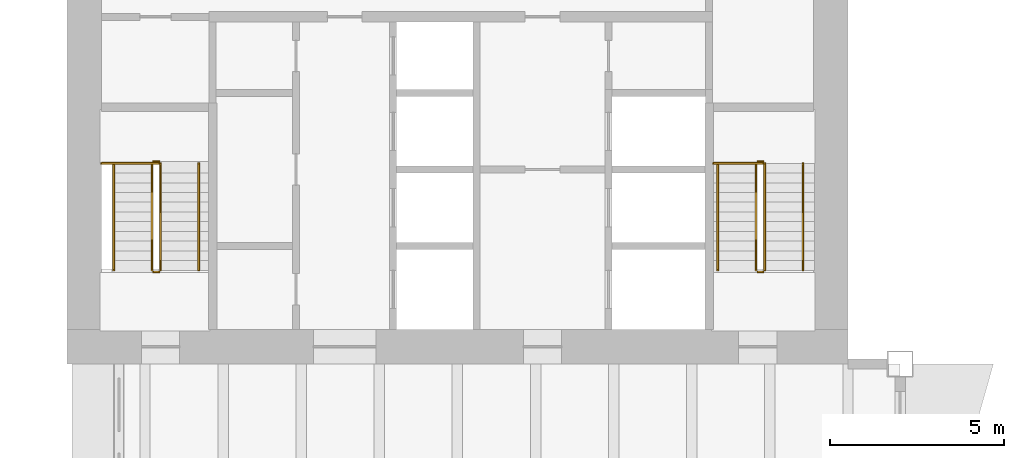
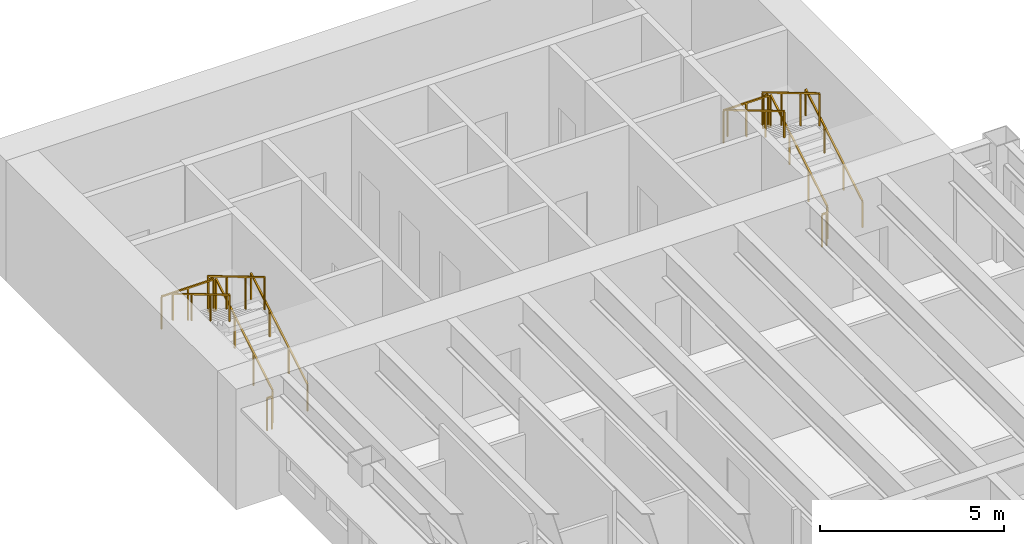
# One storey, part 17 of 17: 14 railings.
"""IFC4 building model written with IfcOpenShell, lengths in metres."""

from ifc_helpers import new_model, si_unit, direction, frame, origin, origin_2d, place, context, subcontext, project, spatial, rectangle, extrude, material, type_object, element, save


model = new_model("IFC4")

# Units and contexts
model_context = context("Model", 3, precision=1e-05, world=origin(), true_north=direction((0.0, 1.0)))
body_context = subcontext(model_context, "Body", "Model", "MODEL_VIEW")
ifc_project = project(units=[si_unit("LENGTHUNIT", "METRE"), si_unit("AREAUNIT", "SQUARE_METRE"), si_unit("VOLUMEUNIT", "CUBIC_METRE"), si_unit("PLANEANGLEUNIT", "RADIAN"), si_unit("MASSUNIT", "GRAM", prefix="KILO")], contexts=[model_context])

# Site, building, storey
site_placement = place(None, origin())
site = spatial("IfcSite", under=ifc_project, at=site_placement, CompositionType="ELEMENT")
building_placement = place(site_placement, origin())
building = spatial("IfcBuilding", under=site, at=building_placement, Name="Sennacour Bend Tower", CompositionType="ELEMENT")
storey_placement = place(building_placement, frame((0.0, 0.0, 215.0)))
storey = spatial("IfcBuildingStorey", under=building, at=storey_placement, Name="L49", CompositionType="ELEMENT", Elevation=215.0)

# Railings
ifc_material = material(Name="Stainless steel", Category="steel")
railing_type_1 = type_object("IfcRailingType", Name="RL-GUARD-1100", PredefinedType="GUARDRAIL", material=ifc_material)
railing_1_placement = place(storey_placement, frame((2.699951171875, 38.699951171875, 0.166748046875)))
element("IfcRailing", 1, at=railing_1_placement, inside=storey, type_object=railing_type_1, Name="L49 SB1 stair guard 1", PredefinedType="GUARDRAIL", context=body_context, shape_type="SweptSolid", body=[
    extrude(rectangle(XDim=0.048095703125, YDim=0.048095703125, at=origin_2d()), frame((0.0, 0.0, 1.076171875), z_axis=(0.0, 0.859308565015, 0.511457515432), x_axis=(-1.0, 0.0, 0.0)), (0.0, 0.0, 1.0), 3.58447265625),
    extrude(rectangle(XDim=0.0419921875, YDim=0.0419921875, at=origin_2d()), origin(), (0.0, 0.0, 1.0), 1.052001953125),
    extrude(rectangle(XDim=0.0419921875, YDim=0.0419921875, at=origin_2d()), frame((0.0, 1.026611328125, 0.611083984375)), (0.0, 0.0, 1.0), 1.052001953125),
    extrude(rectangle(XDim=0.0419921875, YDim=0.0419921875, at=origin_2d()), frame((0.0, 2.053466796875, 1.22216796875)), (0.0, 0.0, 1.0), 1.052001953125),
    extrude(rectangle(XDim=0.0419921875, YDim=0.0419921875, at=origin_2d()), frame((0.0, 3.080078125, 1.833251953125)), (0.0, 0.0, 1.0), 1.052001953125),
])
railing_2_placement = place(storey_placement, frame((2.64990234375, 41.830078125, 2.0)))
element("IfcRailing", 2, at=railing_2_placement, inside=storey, type_object=railing_type_1, Name="L49 SB1 stair guard 2", PredefinedType="GUARDRAIL", context=body_context, shape_type="SweptSolid", body=[
    extrude(rectangle(XDim=0.048095703125, YDim=0.048095703125, at=origin_2d()), frame((0.0, 0.0, 1.076171875), z_axis=(-1.0, 0.0, 0.0), x_axis=(0.0, -1.0, 0.0)), (0.0, 0.0, 1.0), 0.14990234375),
    extrude(rectangle(XDim=0.0419921875, YDim=0.0419921875, at=origin_2d()), origin(), (0.0, 0.0, 1.0), 1.052001953125),
    extrude(rectangle(XDim=0.0419921875, YDim=0.0419921875, at=origin_2d()), frame((-0.14990234375, 0.0, 0.0)), (0.0, 0.0, 1.0), 1.052001953125),
])
railing_3_placement = place(storey_placement, frame((2.449951171875, 41.780029296875, 2.166748046875)))
element("IfcRailing", 3, at=railing_3_placement, inside=storey, type_object=railing_type_1, Name="L49 SB1 stair guard 4", PredefinedType="GUARDRAIL", context=body_context, shape_type="SweptSolid", body=[
    extrude(rectangle(XDim=0.048095703125, YDim=0.048095703125, at=origin_2d()), frame((0.0, 0.0, 1.076171875), z_axis=(0.0, -0.859308565015, 0.511457515432), x_axis=(1.0, 0.0, 0.0)), (0.0, 0.0, 1.0), 3.58447265625),
    extrude(rectangle(XDim=0.0419921875, YDim=0.0419921875, at=origin_2d()), origin(), (0.0, 0.0, 1.0), 1.052001953125),
    extrude(rectangle(XDim=0.0419921875, YDim=0.0419921875, at=origin_2d()), frame((0.0, -1.026611328125, 0.611083984375)), (0.0, 0.0, 1.0), 1.052001953125),
    extrude(rectangle(XDim=0.0419921875, YDim=0.0419921875, at=origin_2d()), frame((0.0, -2.053466796875, 1.22216796875)), (0.0, 0.0, 1.0), 1.052001953125),
    extrude(rectangle(XDim=0.0419921875, YDim=0.0419921875, at=origin_2d()), frame((0.0, -3.080078125, 1.833251953125)), (0.0, 0.0, 1.0), 1.052001953125),
])
railing_4_placement = place(storey_placement, frame((2.64990234375, 38.64990234375, 0.0)))
element("IfcRailing", 4, at=railing_4_placement, inside=storey, type_object=railing_type_1, Name="L49 SB1 stair guard 5", PredefinedType="GUARDRAIL", context=body_context, shape_type="SweptSolid", body=[
    extrude(rectangle(XDim=0.048095703125, YDim=0.048095703125, at=origin_2d()), frame((0.0, 0.0, 1.076171875), z_axis=(-1.0, 0.0, 0.0), x_axis=(0.0, -1.0, 0.0)), (0.0, 0.0, 1.0), 0.14990234375),
    extrude(rectangle(XDim=0.0419921875, YDim=0.0419921875, at=origin_2d()), origin(), (0.0, 0.0, 1.0), 1.052001953125),
    extrude(rectangle(XDim=0.0419921875, YDim=0.0419921875, at=origin_2d()), frame((-0.14990234375, 0.0, 0.0)), (0.0, 0.0, 1.0), 1.052001953125),
])
railing_5_placement = place(storey_placement, frame((2.64990234375, 41.780029296875, 2.0)))
element("IfcRailing", 5, at=railing_5_placement, inside=storey, type_object=railing_type_1, Name="L49 SB1 landing edge guard 77", PredefinedType="GUARDRAIL", context=body_context, shape_type="SweptSolid", body=[
    extrude(rectangle(XDim=0.048095703125, YDim=0.048095703125, at=origin_2d()), frame((0.0, 0.0, 1.076171875), z_axis=(-1.0, 0.0, 0.0), x_axis=(0.0, -1.0, 0.0)), (0.0, 0.0, 1.0), 1.64990234375),
    extrude(rectangle(XDim=0.0419921875, YDim=0.0419921875, at=origin_2d()), origin(), (0.0, 0.0, 1.0), 1.052001953125),
    extrude(rectangle(XDim=0.0419921875, YDim=0.0419921875, at=origin_2d()), frame((-0.824951171875, 0.0, 0.0)), (0.0, 0.0, 1.0), 1.052001953125),
    extrude(rectangle(XDim=0.0419921875, YDim=0.0419921875, at=origin_2d()), frame((-1.64990234375, 0.0, 0.0)), (0.0, 0.0, 1.0), 1.052001953125),
])
railing_6_placement = place(storey_placement, frame((20.10009765625, 38.699951171875, 0.166748046875)))
element("IfcRailing", 6, at=railing_6_placement, inside=storey, type_object=railing_type_1, Name="L49 SB2 stair guard 1", PredefinedType="GUARDRAIL", context=body_context, shape_type="SweptSolid", body=[
    extrude(rectangle(XDim=0.048095703125, YDim=0.048095703125, at=origin_2d()), frame((0.0, 0.0, 1.076171875), z_axis=(0.0, 0.859308565015, 0.511457515432), x_axis=(-1.0, 0.0, 0.0)), (0.0, 0.0, 1.0), 3.58447265625),
    extrude(rectangle(XDim=0.0419921875, YDim=0.0419921875, at=origin_2d()), origin(), (0.0, 0.0, 1.0), 1.052001953125),
    extrude(rectangle(XDim=0.0419921875, YDim=0.0419921875, at=origin_2d()), frame((0.0, 1.026611328125, 0.611083984375)), (0.0, 0.0, 1.0), 1.052001953125),
    extrude(rectangle(XDim=0.0419921875, YDim=0.0419921875, at=origin_2d()), frame((0.0, 2.053466796875, 1.22216796875)), (0.0, 0.0, 1.0), 1.052001953125),
    extrude(rectangle(XDim=0.0419921875, YDim=0.0419921875, at=origin_2d()), frame((0.0, 3.080078125, 1.833251953125)), (0.0, 0.0, 1.0), 1.052001953125),
])
railing_7_placement = place(storey_placement, frame((20.050048828125, 41.830078125, 2.0)))
element("IfcRailing", 7, at=railing_7_placement, inside=storey, type_object=railing_type_1, Name="L49 SB2 stair guard 2", PredefinedType="GUARDRAIL", context=body_context, shape_type="SweptSolid", body=[
    extrude(rectangle(XDim=0.048095703125, YDim=0.048095703125, at=origin_2d()), frame((0.0, 0.0, 1.076171875), z_axis=(-1.0, 0.0, 0.0), x_axis=(0.0, -1.0, 0.0)), (0.0, 0.0, 1.0), 0.150146484375),
    extrude(rectangle(XDim=0.0419921875, YDim=0.0419921875, at=origin_2d()), origin(), (0.0, 0.0, 1.0), 1.052001953125),
    extrude(rectangle(XDim=0.0419921875, YDim=0.0419921875, at=origin_2d()), frame((-0.150146484375, 0.0, 0.0)), (0.0, 0.0, 1.0), 1.052001953125),
])
railing_8_placement = place(storey_placement, frame((19.85009765625, 41.780029296875, 2.166748046875)))
element("IfcRailing", 8, at=railing_8_placement, inside=storey, type_object=railing_type_1, Name="L49 SB2 stair guard 4", PredefinedType="GUARDRAIL", context=body_context, shape_type="SweptSolid", body=[
    extrude(rectangle(XDim=0.048095703125, YDim=0.048095703125, at=origin_2d()), frame((0.0, 0.0, 1.076171875), z_axis=(0.0, -0.859308565015, 0.511457515432), x_axis=(1.0, 0.0, 0.0)), (0.0, 0.0, 1.0), 3.58447265625),
    extrude(rectangle(XDim=0.0419921875, YDim=0.0419921875, at=origin_2d()), origin(), (0.0, 0.0, 1.0), 1.052001953125),
    extrude(rectangle(XDim=0.0419921875, YDim=0.0419921875, at=origin_2d()), frame((0.0, -1.026611328125, 0.611083984375)), (0.0, 0.0, 1.0), 1.052001953125),
    extrude(rectangle(XDim=0.0419921875, YDim=0.0419921875, at=origin_2d()), frame((0.0, -2.053466796875, 1.22216796875)), (0.0, 0.0, 1.0), 1.052001953125),
    extrude(rectangle(XDim=0.0419921875, YDim=0.0419921875, at=origin_2d()), frame((0.0, -3.080078125, 1.833251953125)), (0.0, 0.0, 1.0), 1.052001953125),
])
railing_9_placement = place(storey_placement, frame((20.050048828125, 38.64990234375, 0.0)))
element("IfcRailing", 9, at=railing_9_placement, inside=storey, type_object=railing_type_1, Name="L49 SB2 stair guard 5", PredefinedType="GUARDRAIL", context=body_context, shape_type="SweptSolid", body=[
    extrude(rectangle(XDim=0.048095703125, YDim=0.048095703125, at=origin_2d()), frame((0.0, 0.0, 1.076171875), z_axis=(-1.0, 0.0, 0.0), x_axis=(0.0, -1.0, 0.0)), (0.0, 0.0, 1.0), 0.150146484375),
    extrude(rectangle(XDim=0.0419921875, YDim=0.0419921875, at=origin_2d()), origin(), (0.0, 0.0, 1.0), 1.052001953125),
    extrude(rectangle(XDim=0.0419921875, YDim=0.0419921875, at=origin_2d()), frame((-0.150146484375, 0.0, 0.0)), (0.0, 0.0, 1.0), 1.052001953125),
])
railing_10_placement = place(storey_placement, frame((20.050048828125, 41.780029296875, 2.0)))
element("IfcRailing", 10, at=railing_10_placement, inside=storey, type_object=railing_type_1, Name="L49 SB2 landing edge guard 66", PredefinedType="GUARDRAIL", context=body_context, shape_type="SweptSolid", body=[
    extrude(rectangle(XDim=0.048095703125, YDim=0.048095703125, at=origin_2d()), frame((0.0, 0.0, 1.076171875), z_axis=(-1.0, 0.0, 0.0), x_axis=(0.0, -1.0, 0.0)), (0.0, 0.0, 1.0), 1.425048828125),
    extrude(rectangle(XDim=0.0419921875, YDim=0.0419921875, at=origin_2d()), origin(), (0.0, 0.0, 1.0), 1.052001953125),
    extrude(rectangle(XDim=0.0419921875, YDim=0.0419921875, at=origin_2d()), frame((-0.71240234375, 0.0, 0.0)), (0.0, 0.0, 1.0), 1.052001953125),
    extrude(rectangle(XDim=0.0419921875, YDim=0.0419921875, at=origin_2d()), frame((-1.425048828125, 0.0, 0.0)), (0.0, 0.0, 1.0), 1.052001953125),
])
railing_type_2 = type_object("IfcRailingType", Name="RL-HANDRAIL-900", PredefinedType="HANDRAIL", material=ifc_material)
railing_11_placement = place(storey_placement, frame((3.800048828125, 38.699951171875, 0.166748046875)))
element("IfcRailing", 11, at=railing_11_placement, inside=storey, type_object=railing_type_2, Name="L49 SB1 stair handrail 1", PredefinedType="HANDRAIL", context=body_context, shape_type="SweptSolid", body=[
    extrude(rectangle(XDim=0.048095703125, YDim=0.048095703125, at=origin_2d()), frame((0.0, 0.0, 0.8759765625), z_axis=(0.0, 0.859308565015, 0.511457515432), x_axis=(-1.0, 0.0, 0.0)), (0.0, 0.0, 1.0), 3.58447265625),
    extrude(rectangle(XDim=0.0419921875, YDim=0.0419921875, at=origin_2d()), origin(), (0.0, 0.0, 1.0), 0.851806640625),
    extrude(rectangle(XDim=0.0419921875, YDim=0.0419921875, at=origin_2d()), frame((0.0, 1.026611328125, 0.611083984375)), (0.0, 0.0, 1.0), 0.851806640625),
    extrude(rectangle(XDim=0.0419921875, YDim=0.0419921875, at=origin_2d()), frame((0.0, 2.053466796875, 1.22216796875)), (0.0, 0.0, 1.0), 0.851806640625),
    extrude(rectangle(XDim=0.0419921875, YDim=0.0419921875, at=origin_2d()), frame((0.0, 3.080078125, 1.833251953125)), (0.0, 0.0, 1.0), 0.851806640625),
])
railing_12_placement = place(storey_placement, frame((1.35009765625, 41.780029296875, 2.166748046875)))
element("IfcRailing", 12, at=railing_12_placement, inside=storey, type_object=railing_type_2, Name="L49 SB1 stair handrail 2", PredefinedType="HANDRAIL", context=body_context, shape_type="SweptSolid", body=[
    extrude(rectangle(XDim=0.048095703125, YDim=0.048095703125, at=origin_2d()), frame((0.0, 0.0, 0.8759765625), z_axis=(0.0, -0.859308565015, 0.511457515432), x_axis=(1.0, 0.0, 0.0)), (0.0, 0.0, 1.0), 3.58447265625),
    extrude(rectangle(XDim=0.0419921875, YDim=0.0419921875, at=origin_2d()), origin(), (0.0, 0.0, 1.0), 0.851806640625),
    extrude(rectangle(XDim=0.0419921875, YDim=0.0419921875, at=origin_2d()), frame((0.0, -1.026611328125, 0.611083984375)), (0.0, 0.0, 1.0), 0.851806640625),
    extrude(rectangle(XDim=0.0419921875, YDim=0.0419921875, at=origin_2d()), frame((0.0, -2.053466796875, 1.22216796875)), (0.0, 0.0, 1.0), 0.851806640625),
    extrude(rectangle(XDim=0.0419921875, YDim=0.0419921875, at=origin_2d()), frame((0.0, -3.080078125, 1.833251953125)), (0.0, 0.0, 1.0), 0.851806640625),
])
railing_13_placement = place(storey_placement, frame((21.199951171875, 38.699951171875, 0.166748046875)))
element("IfcRailing", 13, at=railing_13_placement, inside=storey, type_object=railing_type_2, Name="L49 SB2 stair handrail 1", PredefinedType="HANDRAIL", context=body_context, shape_type="SweptSolid", body=[
    extrude(rectangle(XDim=0.048095703125, YDim=0.048095703125, at=origin_2d()), frame((0.0, 0.0, 0.8759765625), z_axis=(0.0, 0.859308565015, 0.511457515432), x_axis=(-1.0, 0.0, 0.0)), (0.0, 0.0, 1.0), 3.58447265625),
    extrude(rectangle(XDim=0.0419921875, YDim=0.0419921875, at=origin_2d()), origin(), (0.0, 0.0, 1.0), 0.851806640625),
    extrude(rectangle(XDim=0.0419921875, YDim=0.0419921875, at=origin_2d()), frame((0.0, 1.026611328125, 0.611083984375)), (0.0, 0.0, 1.0), 0.851806640625),
    extrude(rectangle(XDim=0.0419921875, YDim=0.0419921875, at=origin_2d()), frame((0.0, 2.053466796875, 1.22216796875)), (0.0, 0.0, 1.0), 0.851806640625),
    extrude(rectangle(XDim=0.0419921875, YDim=0.0419921875, at=origin_2d()), frame((0.0, 3.080078125, 1.833251953125)), (0.0, 0.0, 1.0), 0.851806640625),
])
railing_14_placement = place(storey_placement, frame((18.75, 41.780029296875, 2.166748046875)))
element("IfcRailing", 14, at=railing_14_placement, inside=storey, type_object=railing_type_2, Name="L49 SB2 stair handrail 2", PredefinedType="HANDRAIL", context=body_context, shape_type="SweptSolid", body=[
    extrude(rectangle(XDim=0.048095703125, YDim=0.048095703125, at=origin_2d()), frame((0.0, 0.0, 0.8759765625), z_axis=(0.0, -0.859308565015, 0.511457515432), x_axis=(1.0, 0.0, 0.0)), (0.0, 0.0, 1.0), 3.58447265625),
    extrude(rectangle(XDim=0.0419921875, YDim=0.0419921875, at=origin_2d()), origin(), (0.0, 0.0, 1.0), 0.851806640625),
    extrude(rectangle(XDim=0.0419921875, YDim=0.0419921875, at=origin_2d()), frame((0.0, -1.026611328125, 0.611083984375)), (0.0, 0.0, 1.0), 0.851806640625),
    extrude(rectangle(XDim=0.0419921875, YDim=0.0419921875, at=origin_2d()), frame((0.0, -2.053466796875, 1.22216796875)), (0.0, 0.0, 1.0), 0.851806640625),
    extrude(rectangle(XDim=0.0419921875, YDim=0.0419921875, at=origin_2d()), frame((0.0, -3.080078125, 1.833251953125)), (0.0, 0.0, 1.0), 0.851806640625),
])

save(model, "model.ifc")
